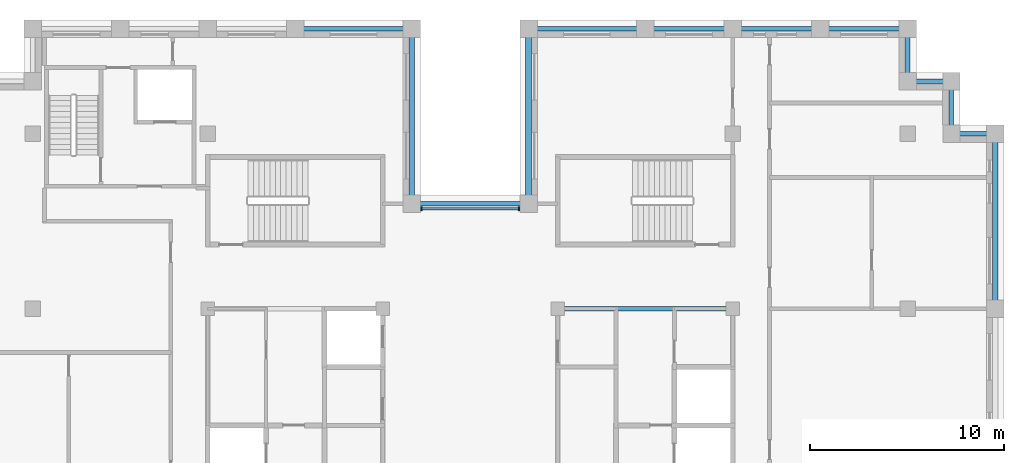
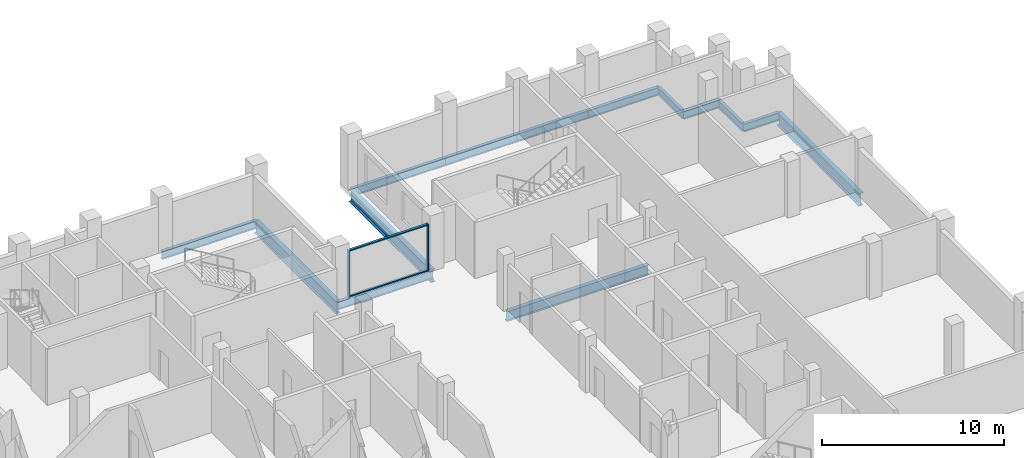
# One storey, part 4 of 13: 14 beams, 4 members, 1 element without a shape of its own.
"""IFC4 building model written with IfcOpenShell, lengths in metres."""

from ifc_helpers import new_model, si_unit, direction, frame, origin, origin_2d, place, context, subcontext, project, spatial, rectangle, i_section, extrude, material, layer, layer_set, material_profile, profile_set, type_object, element, aggregate, save


model = new_model("IFC4")

# Units and contexts
model_context = context("Model", 3, precision=1e-05, world=origin(), true_north=direction((0.0, 1.0)))
body_context = subcontext(model_context, "Body", "Model", "MODEL_VIEW")
ifc_project = project(units=[si_unit("LENGTHUNIT", "METRE"), si_unit("AREAUNIT", "SQUARE_METRE"), si_unit("VOLUMEUNIT", "CUBIC_METRE"), si_unit("PLANEANGLEUNIT", "RADIAN"), si_unit("MASSUNIT", "GRAM", prefix="KILO")], contexts=[model_context])

# Site, building, storey
site_placement = place(None, origin())
site = spatial("IfcSite", under=ifc_project, at=site_placement, CompositionType="ELEMENT")
building_placement = place(site_placement, origin())
building = spatial("IfcBuilding", under=site, at=building_placement, Name="Corbelhall Arena Tower", CompositionType="ELEMENT")
storey_placement = place(building_placement, frame((0.0, 0.0, 304.0)))
storey = spatial("IfcBuildingStorey", under=building, at=storey_placement, Name="L66", CompositionType="ELEMENT", Elevation=304.0)

# Curtain wall, members
ifc_material_1 = material(Name="Aluminium black anodised", Category="aluminium")
ifc_layer = layer(ifc_material_1, 0.199951171875)
ifc_layer_set = layer_set([ifc_layer], Name="EV-CW1 Slot back wall")
curtain_wall_type = type_object("IfcCurtainWallType", Name="EV-CW1 Slot back wall", PredefinedType="NOTDEFINED", material=ifc_layer_set)
curtain_wall_placement = place(storey_placement, origin())
curtain_wall = element("IfcCurtainWall", 1, at=curtain_wall_placement, inside=storey, type_object=curtain_wall_type, Name="Curtain wall CW1", PredefinedType="NOTDEFINED")
ifc_material_profile_1 = material_profile(ifc_material_1, rectangle(XDim=0.199951171875, YDim=0.074951171875, at=origin_2d()))
ifc_profile_set_1 = profile_set([ifc_material_profile_1], Name="Aluminium black anodised")
member_type_1 = type_object("IfcMemberType", Name="EV-CW1-MULLION", PredefinedType="MULLION", material=ifc_profile_set_1)
member_1_placement = place(storey_placement, frame((2.512451171875, 14.14990234375, 0.0), z_axis=(0.0, 0.0, 1.0), x_axis=(0.0, -1.0, 0.0)))
member_1 = element("IfcMember", 2, at=member_1_placement, type_object=member_type_1, Name="CW1 mullion 1", PredefinedType="MULLION", context=body_context, shape_type="SweptSolid", body=[
    extrude(rectangle(XDim=0.199951171875, YDim=0.074951171875, at=origin_2d()), origin(), (0.0, 0.0, 1.0), 3.139892578125),
])
member_2_placement = place(storey_placement, frame((-2.512451171875, 14.14990234375, 0.0), z_axis=(0.0, 0.0, 1.0), x_axis=(0.0, -1.0, 0.0)))
member_2 = element("IfcMember", 3, at=member_2_placement, type_object=member_type_1, Name="CW1 mullion 2", PredefinedType="MULLION", context=body_context, shape_type="SweptSolid", body=[
    extrude(rectangle(XDim=0.199951171875, YDim=0.074951171875, at=origin_2d()), origin(), (0.0, 0.0, 1.0), 3.139892578125),
])
ifc_material_profile_2 = material_profile(ifc_material_1, rectangle(XDim=0.14990234375, YDim=0.074951171875, at=origin_2d()))
ifc_profile_set_2 = profile_set([ifc_material_profile_2], Name="Aluminium black anodised")
member_type_2 = type_object("IfcMemberType", Name="EV-CW1-TRANSOM", PredefinedType="USERDEFINED", material=ifc_profile_set_2)
member_3_placement = place(storey_placement, frame((2.47509765625, 14.14990234375, 0.03759765625), z_axis=(-1.0, 0.0, 0.0), x_axis=(0.0, -1.0, 0.0)))
member_3 = element("IfcMember", 4, at=member_3_placement, type_object=member_type_2, Name="CW1 transom 1.1", ObjectType="transom", PredefinedType="USERDEFINED", context=body_context, shape_type="SweptSolid", body=[
    extrude(rectangle(XDim=0.14990234375, YDim=0.074951171875, at=origin_2d()), origin(), (0.0, 0.0, 1.0), 4.9501953125),
])
member_4_placement = place(storey_placement, frame((2.47509765625, 14.14990234375, 3.1025390625), z_axis=(-1.0, 0.0, 0.0), x_axis=(0.0, -1.0, 0.0)))
member_4 = element("IfcMember", 5, at=member_4_placement, type_object=member_type_2, Name="CW1 transom 1.2", ObjectType="transom", PredefinedType="USERDEFINED", context=body_context, shape_type="SweptSolid", body=[
    extrude(rectangle(XDim=0.14990234375, YDim=0.074951171875, at=origin_2d()), origin(), (0.0, 0.0, 1.0), 4.9501953125),
])
aggregate(curtain_wall, [member_1, member_2, member_3, member_4])

# Beams
ifc_material_2 = material(Name="Steel ASTM A992 Gr50", Category="steel")
ifc_material_profile_3 = material_profile(ifc_material_2, i_section(OverallWidth=0.25390625, OverallDepth=0.67822265625, WebThickness=0.01171875, FlangeThickness=0.016357421875, at=origin_2d()))
ifc_profile_set_3 = profile_set([ifc_material_profile_3], Name="Steel ASTM A992 Gr50")
beam_type_1 = type_object("IfcBeamType", Name="ST-BEAM-W27x84", PredefinedType="BEAM", material=ifc_profile_set_3)
beam_1_placement = place(storey_placement, frame((4.5, 9.0, -0.59912109375), z_axis=(1.0, 0.0, 0.0), x_axis=(0.0, 1.0, 0.0)))
element("IfcBeam", 6, at=beam_1_placement, inside=storey, type_object=beam_type_1, Name="Beam CEE 12", PredefinedType="BEAM", context=body_context, shape_type="SweptSolid", body=[
    extrude(i_section(OverallWidth=0.25390625, OverallDepth=0.67822265625, WebThickness=0.01171875, FlangeThickness=0.016357421875, at=origin_2d()), origin(), (0.0, 0.0, 1.0), 9.0),
])
ifc_material_profile_4 = material_profile(ifc_material_2, i_section(OverallWidth=0.209228515625, OverallDepth=0.533447265625, WebThickness=0.01025390625, FlangeThickness=0.015625, at=origin_2d()))
ifc_profile_set_4 = profile_set([ifc_material_profile_4], Name="Steel ASTM A992 Gr50")
beam_type_2 = type_object("IfcBeamType", Name="ST-SPANDREL-W21x62", PredefinedType="SPANDREL", material=ifc_profile_set_4)
beam_2_placement = place(storey_placement, frame((3.0, 23.39990234375, -0.526611328125), z_axis=(1.0, 0.0, 0.0), x_axis=(0.0, 1.0, 0.0)))
element("IfcBeam", 7, at=beam_2_placement, inside=storey, type_object=beam_type_2, Name="Beam SP 6", PredefinedType="SPANDREL", context=body_context, shape_type="SweptSolid", body=[
    extrude(i_section(OverallWidth=0.209228515625, OverallDepth=0.533447265625, WebThickness=0.01025390625, FlangeThickness=0.015625, at=origin_2d()), origin(), (0.0, 0.0, 1.0), 6.0),
])
for number, where, z_axis, x_axis, name in (
    (8, (9.0, 23.39990234375, -0.526611328125), (1.0, 0.0, 0.0), (0.0, 1.0, 0.0), "Beam SP 7"),
    (9, (13.5, 23.39990234375, -0.526611328125), (1.0, 0.0, 0.0), (0.0, 1.0, 0.0), "Beam SP 8"),
    (10, (18.0, 23.39990234375, -0.526611328125), (1.0, 0.0, 0.0), (0.0, 1.0, 0.0), "Beam SP 9"),
):
    element("IfcBeam", number, at=place(storey_placement, frame(where, z_axis=z_axis, x_axis=x_axis)), inside=storey, type_object=beam_type_2, Name=name, PredefinedType="SPANDREL", context=body_context, shape_type="SweptSolid", body=[
        extrude(i_section(OverallWidth=0.209228515625, OverallDepth=0.533447265625, WebThickness=0.01025390625, FlangeThickness=0.015625, at=origin_2d()), origin(), (0.0, 0.0, 1.0), 4.5),
    ])
beam_3_placement = place(storey_placement, frame((22.5, 23.39990234375, -0.526611328125), z_axis=(0.0, -1.0, 0.0), x_axis=(1.0, 0.0, 0.0)))
element("IfcBeam", 11, at=beam_3_placement, inside=storey, type_object=beam_type_2, Name="Beam SP 10", PredefinedType="SPANDREL", context=body_context, shape_type="SweptSolid", body=[
    extrude(i_section(OverallWidth=0.209228515625, OverallDepth=0.533447265625, WebThickness=0.01025390625, FlangeThickness=0.015625, at=origin_2d()), origin(), (0.0, 0.0, 1.0), 2.699951171875),
])
for number, where, z_axis, x_axis, name in (
    (12, (-9.0, 23.39990234375, -0.526611328125), (1.0, 0.0, 0.0), (0.0, 1.0, 0.0), "Beam SP 12"),
    (13, (-3.0, 14.39990234375, -0.526611328125), (1.0, 0.0, 0.0), (0.0, 1.0, 0.0), "Beam SP 32"),
):
    element("IfcBeam", number, at=place(storey_placement, frame(where, z_axis=z_axis, x_axis=x_axis)), inside=storey, type_object=beam_type_2, Name=name, PredefinedType="SPANDREL", context=body_context, shape_type="SweptSolid", body=[
        extrude(i_section(OverallWidth=0.209228515625, OverallDepth=0.533447265625, WebThickness=0.01025390625, FlangeThickness=0.015625, at=origin_2d()), origin(), (0.0, 0.0, 1.0), 6.0),
    ])
beam_4_placement = place(storey_placement, frame((22.5, 20.699951171875, -0.526611328125), z_axis=(1.0, 0.0, 0.0), x_axis=(0.0, 1.0, 0.0)))
element("IfcBeam", 14, at=beam_4_placement, inside=storey, type_object=beam_type_2, Name="Beam SP 35", PredefinedType="SPANDREL", context=body_context, shape_type="SweptSolid", body=[
    extrude(i_section(OverallWidth=0.209228515625, OverallDepth=0.533447265625, WebThickness=0.01025390625, FlangeThickness=0.015625, at=origin_2d()), origin(), (0.0, 0.0, 1.0), 2.25),
])
beam_5_placement = place(storey_placement, frame((24.75, 20.699951171875, -0.526611328125), z_axis=(0.0, -1.0, 0.0), x_axis=(1.0, 0.0, 0.0)))
element("IfcBeam", 15, at=beam_5_placement, inside=storey, type_object=beam_type_2, Name="Beam SP 36", PredefinedType="SPANDREL", context=body_context, shape_type="SweptSolid", body=[
    extrude(i_section(OverallWidth=0.209228515625, OverallDepth=0.533447265625, WebThickness=0.01025390625, FlangeThickness=0.015625, at=origin_2d()), origin(), (0.0, 0.0, 1.0), 2.699951171875),
])
beam_6_placement = place(storey_placement, frame((24.75, 18.0, -0.526611328125), z_axis=(1.0, 0.0, 0.0), x_axis=(0.0, 1.0, 0.0)))
element("IfcBeam", 16, at=beam_6_placement, inside=storey, type_object=beam_type_2, Name="Beam SP 37", PredefinedType="SPANDREL", context=body_context, shape_type="SweptSolid", body=[
    extrude(i_section(OverallWidth=0.209228515625, OverallDepth=0.533447265625, WebThickness=0.01025390625, FlangeThickness=0.015625, at=origin_2d()), origin(), (0.0, 0.0, 1.0), 2.25),
])
ifc_material_profile_5 = material_profile(ifc_material_2, i_section(OverallWidth=0.2919921875, OverallDepth=0.845703125, WebThickness=0.015380859375, FlangeThickness=0.0244140625, at=origin_2d()))
ifc_profile_set_5 = profile_set([ifc_material_profile_5], Name="Steel ASTM A992 Gr50")
beam_type_3 = type_object("IfcBeamType", Name="ST-SPANDREL-W33x141", PredefinedType="SPANDREL", material=ifc_profile_set_5)
for number, where, z_axis, x_axis, name in (
    (17, (27.0, 18.0, -0.682861328125), (0.0, -1.0, 0.0), (1.0, 0.0, 0.0), "Beam SP 3"),
    (18, (-3.0, 23.39990234375, -0.682861328125), (0.0, -1.0, 0.0), (1.0, 0.0, 0.0), "Beam SP 11"),
    (19, (3.0, 14.39990234375, -0.682861328125), (0.0, 1.0, 0.0), (-1.0, 0.0, 0.0), "Beam SP 31"),
):
    element("IfcBeam", number, at=place(storey_placement, frame(where, z_axis=z_axis, x_axis=x_axis)), inside=storey, type_object=beam_type_3, Name=name, PredefinedType="SPANDREL", context=body_context, shape_type="SweptSolid", body=[
        extrude(i_section(OverallWidth=0.2919921875, OverallDepth=0.845703125, WebThickness=0.015380859375, FlangeThickness=0.0244140625, at=origin_2d()), origin(), (0.0, 0.0, 1.0), 9.0),
    ])

save(model, "model.ifc")
